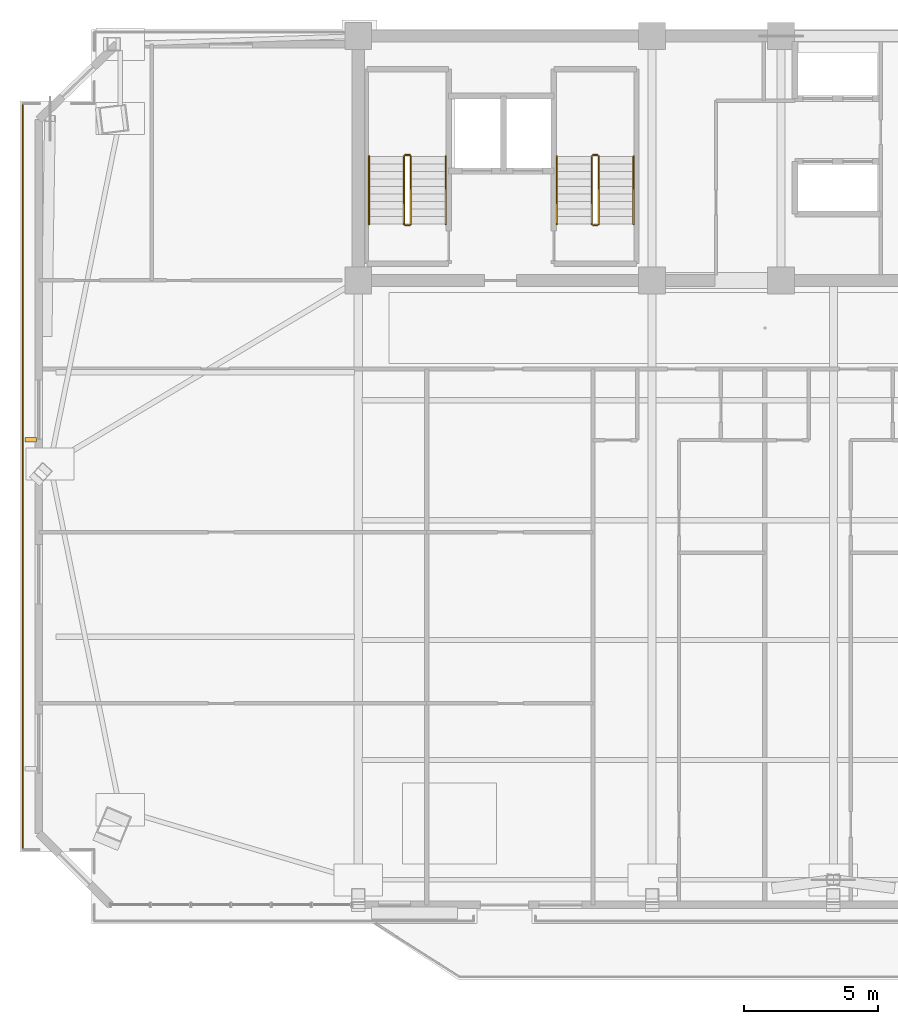
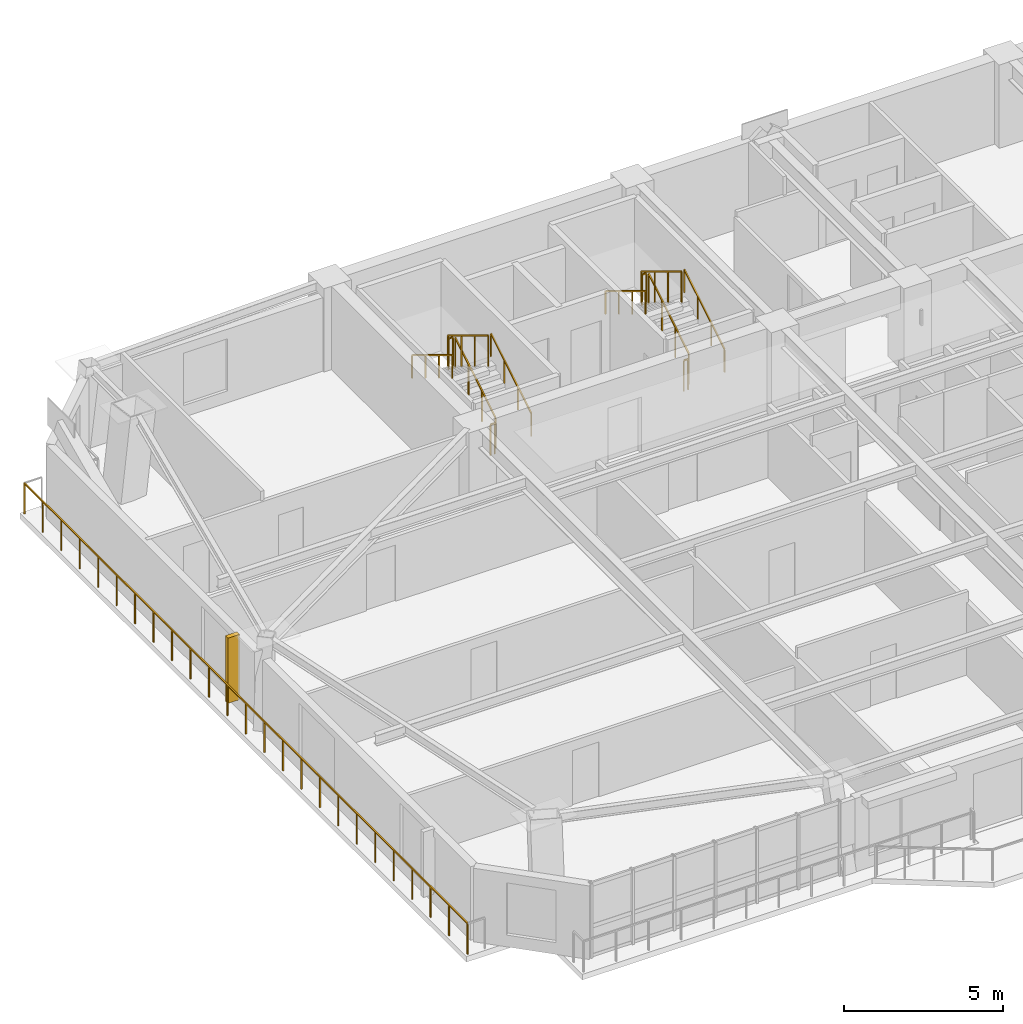
# One storey, part 15 of 18: 13 railings, 1 shading device.
"""IFC4 building model written with IfcOpenShell, lengths in metres."""

from ifc_helpers import new_model, si_unit, direction, frame, origin, origin_2d, place, context, subcontext, project, spatial, rectangle, extrude, source, transform, mapped, material, type_object, element, save


model = new_model("IFC4")

# Units and contexts
model_context = context("Model", 3, precision=1e-05, world=origin(), true_north=direction((0.0, 1.0)))
body_context = subcontext(model_context, "Body", "Model", "MODEL_VIEW")
ifc_project = project(units=[si_unit("LENGTHUNIT", "METRE"), si_unit("AREAUNIT", "SQUARE_METRE"), si_unit("VOLUMEUNIT", "CUBIC_METRE"), si_unit("PLANEANGLEUNIT", "RADIAN"), si_unit("MASSUNIT", "GRAM", prefix="KILO")], contexts=[model_context])

# Site, building, storey
site_placement = place(None, origin())
site = spatial("IfcSite", under=ifc_project, at=site_placement, CompositionType="ELEMENT")
building_placement = place(site_placement, origin())
building = spatial("IfcBuilding", under=site, at=building_placement, Name="Giltprow Tower", CompositionType="ELEMENT")
storey_placement = place(building_placement, frame((0.0, 0.0, 245.10009765625)))
storey = spatial("IfcBuildingStorey", under=building, at=storey_placement, Name="L62", CompositionType="ELEMENT", Elevation=245.10009765625)

# Railings
ifc_material = material(Name="Anodized bronze", Category="metal")
railing_type_1 = type_object("IfcRailingType", Name="RAIL-BALC-GUARD-1200", PredefinedType="BALUSTRADE", material=ifc_material)
railing_1_placement = place(storey_placement, frame((7.347900390625, 16.242919921875, 0.0)))
element("IfcRailing", 1, at=railing_1_placement, inside=storey, type_object=railing_type_1, Name="L62 Corner Apron Edge Balustrade 17", PredefinedType="BALUSTRADE", context=body_context, shape_type="SweptSolid", body=[
    extrude(rectangle(XDim=0.048095703125, YDim=0.048095703125, at=origin_2d()), frame((0.0, 0.0, 1.17578125), z_axis=(0.0, 1.0, 0.0), x_axis=(-1.0, 0.0, 0.0)), (0.0, 0.0, 1.0), 27.796142578125),
    extrude(rectangle(XDim=0.0419921875, YDim=0.0419921875, at=origin_2d()), origin(), (0.0, 0.0, 1.0), 1.15185546875),
    extrude(rectangle(XDim=0.0419921875, YDim=0.0419921875, at=origin_2d()), frame((0.0, 1.158203125, 0.0)), (0.0, 0.0, 1.0), 1.15185546875),
    extrude(rectangle(XDim=0.0419921875, YDim=0.0419921875, at=origin_2d()), frame((0.0, 2.31640625, 0.0)), (0.0, 0.0, 1.0), 1.15185546875),
    extrude(rectangle(XDim=0.0419921875, YDim=0.0419921875, at=origin_2d()), frame((0.0, 3.474609375, 0.0)), (0.0, 0.0, 1.0), 1.15185546875),
    extrude(rectangle(XDim=0.0419921875, YDim=0.0419921875, at=origin_2d()), frame((0.0, 4.6328125, 0.0)), (0.0, 0.0, 1.0), 1.15185546875),
    extrude(rectangle(XDim=0.0419921875, YDim=0.0419921875, at=origin_2d()), frame((0.0, 5.790771484375, 0.0)), (0.0, 0.0, 1.0), 1.15185546875),
    extrude(rectangle(XDim=0.0419921875, YDim=0.0419921875, at=origin_2d()), frame((0.0, 6.948974609375, 0.0)), (0.0, 0.0, 1.0), 1.15185546875),
    extrude(rectangle(XDim=0.0419921875, YDim=0.0419921875, at=origin_2d()), frame((0.0, 8.107177734375, 0.0)), (0.0, 0.0, 1.0), 1.15185546875),
    extrude(rectangle(XDim=0.0419921875, YDim=0.0419921875, at=origin_2d()), frame((0.0, 9.265380859375, 0.0)), (0.0, 0.0, 1.0), 1.15185546875),
    extrude(rectangle(XDim=0.0419921875, YDim=0.0419921875, at=origin_2d()), frame((0.0, 10.423583984375, 0.0)), (0.0, 0.0, 1.0), 1.15185546875),
    extrude(rectangle(XDim=0.0419921875, YDim=0.0419921875, at=origin_2d()), frame((0.0, 11.581787109375, 0.0)), (0.0, 0.0, 1.0), 1.15185546875),
    extrude(rectangle(XDim=0.0419921875, YDim=0.0419921875, at=origin_2d()), frame((0.0, 12.739990234375, 0.0)), (0.0, 0.0, 1.0), 1.15185546875),
    extrude(rectangle(XDim=0.0419921875, YDim=0.0419921875, at=origin_2d()), frame((0.0, 13.89794921875, 0.0)), (0.0, 0.0, 1.0), 1.15185546875),
    extrude(rectangle(XDim=0.0419921875, YDim=0.0419921875, at=origin_2d()), frame((0.0, 15.05615234375, 0.0)), (0.0, 0.0, 1.0), 1.15185546875),
    extrude(rectangle(XDim=0.0419921875, YDim=0.0419921875, at=origin_2d()), frame((0.0, 16.21435546875, 0.0)), (0.0, 0.0, 1.0), 1.15185546875),
    extrude(rectangle(XDim=0.0419921875, YDim=0.0419921875, at=origin_2d()), frame((0.0, 17.37255859375, 0.0)), (0.0, 0.0, 1.0), 1.15185546875),
    extrude(rectangle(XDim=0.0419921875, YDim=0.0419921875, at=origin_2d()), frame((0.0, 18.53076171875, 0.0)), (0.0, 0.0, 1.0), 1.15185546875),
    extrude(rectangle(XDim=0.0419921875, YDim=0.0419921875, at=origin_2d()), frame((0.0, 19.68896484375, 0.0)), (0.0, 0.0, 1.0), 1.15185546875),
    extrude(rectangle(XDim=0.0419921875, YDim=0.0419921875, at=origin_2d()), frame((0.0, 20.84716796875, 0.0)), (0.0, 0.0, 1.0), 1.15185546875),
    extrude(rectangle(XDim=0.0419921875, YDim=0.0419921875, at=origin_2d()), frame((0.0, 22.00537109375, 0.0)), (0.0, 0.0, 1.0), 1.15185546875),
    extrude(rectangle(XDim=0.0419921875, YDim=0.0419921875, at=origin_2d()), frame((0.0, 23.16357421875, 0.0)), (0.0, 0.0, 1.0), 1.15185546875),
    extrude(rectangle(XDim=0.0419921875, YDim=0.0419921875, at=origin_2d()), frame((0.0, 24.321533203125, 0.0)), (0.0, 0.0, 1.0), 1.15185546875),
    extrude(rectangle(XDim=0.0419921875, YDim=0.0419921875, at=origin_2d()), frame((0.0, 25.479736328125, 0.0)), (0.0, 0.0, 1.0), 1.15185546875),
    extrude(rectangle(XDim=0.0419921875, YDim=0.0419921875, at=origin_2d()), frame((0.0, 26.637939453125, 0.0)), (0.0, 0.0, 1.0), 1.15185546875),
    extrude(rectangle(XDim=0.0419921875, YDim=0.0419921875, at=origin_2d()), frame((0.0, 27.796142578125, 0.0)), (0.0, 0.0, 1.0), 1.15185546875),
])
railing_type_2 = type_object("IfcRailingType", Name="RAIL-STAIR-GUARD-1200", PredefinedType="GUARDRAIL", material=ifc_material)
railing_2_placement = place(storey_placement, frame((21.81005859375, 39.550048828125, 0.169921875)))
element("IfcRailing", 2, at=railing_2_placement, inside=storey, type_object=railing_type_2, Name="L62 ST-1 stair guard 1", PredefinedType="GUARDRAIL", context=body_context, shape_type="SweptSolid", body=[
    extrude(rectangle(XDim=0.048095703125, YDim=0.048095703125, at=origin_2d()), frame((0.0, 0.0, 1.17578125), z_axis=(0.0, 0.85478489116, 0.518982456201), x_axis=(-1.0, 0.0, 0.0)), (0.0, 0.0, 1.0), 2.9482421875),
    extrude(rectangle(XDim=0.0419921875, YDim=0.0419921875, at=origin_2d()), origin(), (0.0, 0.0, 1.0), 1.15185546875),
    extrude(rectangle(XDim=0.0419921875, YDim=0.0419921875, at=origin_2d()), frame((0.0, 0.840087890625, 0.510009765625)), (0.0, 0.0, 1.0), 1.15185546875),
    extrude(rectangle(XDim=0.0419921875, YDim=0.0419921875, at=origin_2d()), frame((0.0, 1.679931640625, 1.02001953125)), (0.0, 0.0, 1.0), 1.15185546875),
    extrude(rectangle(XDim=0.0419921875, YDim=0.0419921875, at=origin_2d()), frame((0.0, 2.52001953125, 1.530029296875)), (0.0, 0.0, 1.0), 1.15185546875),
])
railing_3_placement = place(storey_placement, frame((21.760009765625, 42.1201171875, 1.699951171875)))
element("IfcRailing", 3, at=railing_3_placement, inside=storey, type_object=railing_type_2, Name="L62 ST-1 stair guard 2", PredefinedType="GUARDRAIL", context=body_context, shape_type="SweptSolid", body=[
    extrude(rectangle(XDim=0.048095703125, YDim=0.048095703125, at=origin_2d()), frame((0.0, 0.0, 1.17578125), z_axis=(-1.0, 0.0, 0.0), x_axis=(0.0, -1.0, 0.0)), (0.0, 0.0, 1.0), 0.159912109375),
    extrude(rectangle(XDim=0.0419921875, YDim=0.0419921875, at=origin_2d()), origin(), (0.0, 0.0, 1.0), 1.15185546875),
    extrude(rectangle(XDim=0.0419921875, YDim=0.0419921875, at=origin_2d()), frame((-0.159912109375, 0.0, 0.0)), (0.0, 0.0, 1.0), 1.15185546875),
])
railing_4_placement = place(storey_placement, frame((21.550048828125, 42.070068359375, 1.869873046875)))
element("IfcRailing", 4, at=railing_4_placement, inside=storey, type_object=railing_type_2, Name="L62 ST-1 stair guard 3", PredefinedType="GUARDRAIL", context=body_context, shape_type="SweptSolid", body=[
    extrude(rectangle(XDim=0.048095703125, YDim=0.048095703125, at=origin_2d()), frame((0.0, 0.0, 1.17578125), z_axis=(0.0, -0.85478489116, 0.518982456201), x_axis=(1.0, 0.0, 0.0)), (0.0, 0.0, 1.0), 2.9482421875),
    extrude(rectangle(XDim=0.0419921875, YDim=0.0419921875, at=origin_2d()), origin(), (0.0, 0.0, 1.0), 1.15185546875),
    extrude(rectangle(XDim=0.0419921875, YDim=0.0419921875, at=origin_2d()), frame((0.0, -0.840087890625, 0.510009765625)), (0.0, 0.0, 1.0), 1.15185546875),
    extrude(rectangle(XDim=0.0419921875, YDim=0.0419921875, at=origin_2d()), frame((0.0, -1.679931640625, 1.02001953125)), (0.0, 0.0, 1.0), 1.15185546875),
    extrude(rectangle(XDim=0.0419921875, YDim=0.0419921875, at=origin_2d()), frame((0.0, -2.52001953125, 1.530029296875)), (0.0, 0.0, 1.0), 1.15185546875),
])
railing_5_placement = place(storey_placement, frame((21.760009765625, 39.5, 0.0)))
element("IfcRailing", 5, at=railing_5_placement, inside=storey, type_object=railing_type_2, Name="L62 ST-1 stair guard 4", PredefinedType="GUARDRAIL", context=body_context, shape_type="SweptSolid", body=[
    extrude(rectangle(XDim=0.048095703125, YDim=0.048095703125, at=origin_2d()), frame((0.0, 0.0, 1.17578125), z_axis=(-1.0, 0.0, 0.0), x_axis=(0.0, -1.0, 0.0)), (0.0, 0.0, 1.0), 0.159912109375),
    extrude(rectangle(XDim=0.0419921875, YDim=0.0419921875, at=origin_2d()), origin(), (0.0, 0.0, 1.0), 1.15185546875),
    extrude(rectangle(XDim=0.0419921875, YDim=0.0419921875, at=origin_2d()), frame((-0.159912109375, 0.0, 0.0)), (0.0, 0.0, 1.0), 1.15185546875),
])
railing_6_placement = place(storey_placement, frame((28.81005859375, 39.550048828125, 0.169921875)))
element("IfcRailing", 6, at=railing_6_placement, inside=storey, type_object=railing_type_2, Name="L62 ST-2 stair guard 1", PredefinedType="GUARDRAIL", context=body_context, shape_type="SweptSolid", body=[
    extrude(rectangle(XDim=0.048095703125, YDim=0.048095703125, at=origin_2d()), frame((0.0, 0.0, 1.17578125), z_axis=(0.0, 0.85478489116, 0.518982456201), x_axis=(-1.0, 0.0, 0.0)), (0.0, 0.0, 1.0), 2.9482421875),
    extrude(rectangle(XDim=0.0419921875, YDim=0.0419921875, at=origin_2d()), origin(), (0.0, 0.0, 1.0), 1.15185546875),
    extrude(rectangle(XDim=0.0419921875, YDim=0.0419921875, at=origin_2d()), frame((0.0, 0.840087890625, 0.510009765625)), (0.0, 0.0, 1.0), 1.15185546875),
    extrude(rectangle(XDim=0.0419921875, YDim=0.0419921875, at=origin_2d()), frame((0.0, 1.679931640625, 1.02001953125)), (0.0, 0.0, 1.0), 1.15185546875),
    extrude(rectangle(XDim=0.0419921875, YDim=0.0419921875, at=origin_2d()), frame((0.0, 2.52001953125, 1.530029296875)), (0.0, 0.0, 1.0), 1.15185546875),
])
railing_7_placement = place(storey_placement, frame((28.760009765625, 42.1201171875, 1.699951171875)))
element("IfcRailing", 7, at=railing_7_placement, inside=storey, type_object=railing_type_2, Name="L62 ST-2 stair guard 2", PredefinedType="GUARDRAIL", context=body_context, shape_type="SweptSolid", body=[
    extrude(rectangle(XDim=0.048095703125, YDim=0.048095703125, at=origin_2d()), frame((0.0, 0.0, 1.17578125), z_axis=(-1.0, 0.0, 0.0), x_axis=(0.0, -1.0, 0.0)), (0.0, 0.0, 1.0), 0.159912109375),
    extrude(rectangle(XDim=0.0419921875, YDim=0.0419921875, at=origin_2d()), origin(), (0.0, 0.0, 1.0), 1.15185546875),
    extrude(rectangle(XDim=0.0419921875, YDim=0.0419921875, at=origin_2d()), frame((-0.159912109375, 0.0, 0.0)), (0.0, 0.0, 1.0), 1.15185546875),
])
railing_8_placement = place(storey_placement, frame((28.550048828125, 42.070068359375, 1.869873046875)))
element("IfcRailing", 8, at=railing_8_placement, inside=storey, type_object=railing_type_2, Name="L62 ST-2 stair guard 3", PredefinedType="GUARDRAIL", context=body_context, shape_type="SweptSolid", body=[
    extrude(rectangle(XDim=0.048095703125, YDim=0.048095703125, at=origin_2d()), frame((0.0, 0.0, 1.17578125), z_axis=(0.0, -0.85478489116, 0.518982456201), x_axis=(1.0, 0.0, 0.0)), (0.0, 0.0, 1.0), 2.9482421875),
    extrude(rectangle(XDim=0.0419921875, YDim=0.0419921875, at=origin_2d()), origin(), (0.0, 0.0, 1.0), 1.15185546875),
    extrude(rectangle(XDim=0.0419921875, YDim=0.0419921875, at=origin_2d()), frame((0.0, -0.840087890625, 0.510009765625)), (0.0, 0.0, 1.0), 1.15185546875),
    extrude(rectangle(XDim=0.0419921875, YDim=0.0419921875, at=origin_2d()), frame((0.0, -1.679931640625, 1.02001953125)), (0.0, 0.0, 1.0), 1.15185546875),
    extrude(rectangle(XDim=0.0419921875, YDim=0.0419921875, at=origin_2d()), frame((0.0, -2.52001953125, 1.530029296875)), (0.0, 0.0, 1.0), 1.15185546875),
])
railing_9_placement = place(storey_placement, frame((28.760009765625, 39.5, 0.0)))
element("IfcRailing", 9, at=railing_9_placement, inside=storey, type_object=railing_type_2, Name="L62 ST-2 stair guard 4", PredefinedType="GUARDRAIL", context=body_context, shape_type="SweptSolid", body=[
    extrude(rectangle(XDim=0.048095703125, YDim=0.048095703125, at=origin_2d()), frame((0.0, 0.0, 1.17578125), z_axis=(-1.0, 0.0, 0.0), x_axis=(0.0, -1.0, 0.0)), (0.0, 0.0, 1.0), 0.159912109375),
    extrude(rectangle(XDim=0.0419921875, YDim=0.0419921875, at=origin_2d()), origin(), (0.0, 0.0, 1.0), 1.15185546875),
    extrude(rectangle(XDim=0.0419921875, YDim=0.0419921875, at=origin_2d()), frame((-0.159912109375, 0.0, 0.0)), (0.0, 0.0, 1.0), 1.15185546875),
])
railing_type_3 = type_object("IfcRailingType", Name="RAIL-STAIR-HAND-900", PredefinedType="HANDRAIL", material=ifc_material)
railing_10_placement = place(storey_placement, frame((23.110107421875, 39.550048828125, 0.169921875)))
element("IfcRailing", 10, at=railing_10_placement, inside=storey, type_object=railing_type_3, Name="L62 ST-1 stair handrail 1", PredefinedType="HANDRAIL", context=body_context, shape_type="SweptSolid", body=[
    extrude(rectangle(XDim=0.048095703125, YDim=0.048095703125, at=origin_2d()), frame((0.0, 0.0, 0.8759765625), z_axis=(0.0, 0.85478489116, 0.518982456201), x_axis=(-1.0, 0.0, 0.0)), (0.0, 0.0, 1.0), 2.9482421875),
    extrude(rectangle(XDim=0.0419921875, YDim=0.0419921875, at=origin_2d()), origin(), (0.0, 0.0, 1.0), 0.851806640625),
    extrude(rectangle(XDim=0.0419921875, YDim=0.0419921875, at=origin_2d()), frame((0.0, 0.840087890625, 0.510009765625)), (0.0, 0.0, 1.0), 0.851806640625),
    extrude(rectangle(XDim=0.0419921875, YDim=0.0419921875, at=origin_2d()), frame((0.0, 1.679931640625, 1.02001953125)), (0.0, 0.0, 1.0), 0.851806640625),
    extrude(rectangle(XDim=0.0419921875, YDim=0.0419921875, at=origin_2d()), frame((0.0, 2.52001953125, 1.530029296875)), (0.0, 0.0, 1.0), 0.851806640625),
])
railing_11_placement = place(storey_placement, frame((20.25, 42.070068359375, 1.869873046875)))
element("IfcRailing", 11, at=railing_11_placement, inside=storey, type_object=railing_type_3, Name="L62 ST-1 stair handrail 2", PredefinedType="HANDRAIL", context=body_context, shape_type="SweptSolid", body=[
    extrude(rectangle(XDim=0.048095703125, YDim=0.048095703125, at=origin_2d()), frame((0.0, 0.0, 0.8759765625), z_axis=(0.0, -0.85478489116, 0.518982456201), x_axis=(1.0, 0.0, 0.0)), (0.0, 0.0, 1.0), 2.9482421875),
    extrude(rectangle(XDim=0.0419921875, YDim=0.0419921875, at=origin_2d()), origin(), (0.0, 0.0, 1.0), 0.851806640625),
    extrude(rectangle(XDim=0.0419921875, YDim=0.0419921875, at=origin_2d()), frame((0.0, -0.840087890625, 0.510009765625)), (0.0, 0.0, 1.0), 0.851806640625),
    extrude(rectangle(XDim=0.0419921875, YDim=0.0419921875, at=origin_2d()), frame((0.0, -1.679931640625, 1.02001953125)), (0.0, 0.0, 1.0), 0.851806640625),
    extrude(rectangle(XDim=0.0419921875, YDim=0.0419921875, at=origin_2d()), frame((0.0, -2.52001953125, 1.530029296875)), (0.0, 0.0, 1.0), 0.851806640625),
])
railing_12_placement = place(storey_placement, frame((30.110107421875, 39.550048828125, 0.169921875)))
element("IfcRailing", 12, at=railing_12_placement, inside=storey, type_object=railing_type_3, Name="L62 ST-2 stair handrail 1", PredefinedType="HANDRAIL", context=body_context, shape_type="SweptSolid", body=[
    extrude(rectangle(XDim=0.048095703125, YDim=0.048095703125, at=origin_2d()), frame((0.0, 0.0, 0.8759765625), z_axis=(0.0, 0.85478489116, 0.518982456201), x_axis=(-1.0, 0.0, 0.0)), (0.0, 0.0, 1.0), 2.9482421875),
    extrude(rectangle(XDim=0.0419921875, YDim=0.0419921875, at=origin_2d()), origin(), (0.0, 0.0, 1.0), 0.851806640625),
    extrude(rectangle(XDim=0.0419921875, YDim=0.0419921875, at=origin_2d()), frame((0.0, 0.840087890625, 0.510009765625)), (0.0, 0.0, 1.0), 0.851806640625),
    extrude(rectangle(XDim=0.0419921875, YDim=0.0419921875, at=origin_2d()), frame((0.0, 1.679931640625, 1.02001953125)), (0.0, 0.0, 1.0), 0.851806640625),
    extrude(rectangle(XDim=0.0419921875, YDim=0.0419921875, at=origin_2d()), frame((0.0, 2.52001953125, 1.530029296875)), (0.0, 0.0, 1.0), 0.851806640625),
])
railing_13_placement = place(storey_placement, frame((27.25, 42.070068359375, 1.869873046875)))
element("IfcRailing", 13, at=railing_13_placement, inside=storey, type_object=railing_type_3, Name="L62 ST-2 stair handrail 2", PredefinedType="HANDRAIL", context=body_context, shape_type="SweptSolid", body=[
    extrude(rectangle(XDim=0.048095703125, YDim=0.048095703125, at=origin_2d()), frame((0.0, 0.0, 0.8759765625), z_axis=(0.0, -0.85478489116, 0.518982456201), x_axis=(1.0, 0.0, 0.0)), (0.0, 0.0, 1.0), 2.9482421875),
    extrude(rectangle(XDim=0.0419921875, YDim=0.0419921875, at=origin_2d()), origin(), (0.0, 0.0, 1.0), 0.851806640625),
    extrude(rectangle(XDim=0.0419921875, YDim=0.0419921875, at=origin_2d()), frame((0.0, -0.840087890625, 0.510009765625)), (0.0, 0.0, 1.0), 0.851806640625),
    extrude(rectangle(XDim=0.0419921875, YDim=0.0419921875, at=origin_2d()), frame((0.0, -1.679931640625, 1.02001953125)), (0.0, 0.0, 1.0), 0.851806640625),
    extrude(rectangle(XDim=0.0419921875, YDim=0.0419921875, at=origin_2d()), frame((0.0, -2.52001953125, 1.530029296875)), (0.0, 0.0, 1.0), 0.851806640625),
])

# Shading device
shading_device_type = type_object("IfcShadingDeviceType", Name="SHD-FIN-420", PredefinedType="USERDEFINED", material=ifc_material)
shared_shape = source(origin(), body_context, "Body", "SweptSolid", [
    extrude(rectangle(XDim=0.419921875, YDim=0.159912109375, at=origin_2d()), origin(), (0.0, 0.0, 1.0), 2.5),
])
shading_device_placement = place(storey_placement, frame((7.64794921875, 31.510009765625, 0.349853515625), z_axis=(0.0, 0.0, 1.0), x_axis=(1.0, 0.0, 0.0)))
element("IfcShadingDevice", 14, at=shading_device_placement, inside=storey, type_object=shading_device_type, Name="L62 W Bronze Vertical Fin 2-1", ObjectType="FIN", PredefinedType="USERDEFINED", context=body_context, shape_type="MappedRepresentation", body=[
    mapped(shared_shape, transform((0.0, 0.0, 0.0), x_axis=(1.0, 0.0, 0.0), y_axis=(0.0, 1.0, 0.0), z_axis=(0.0, 0.0, 1.0), scale=1.0)),
])

save(model, "model.ifc")
